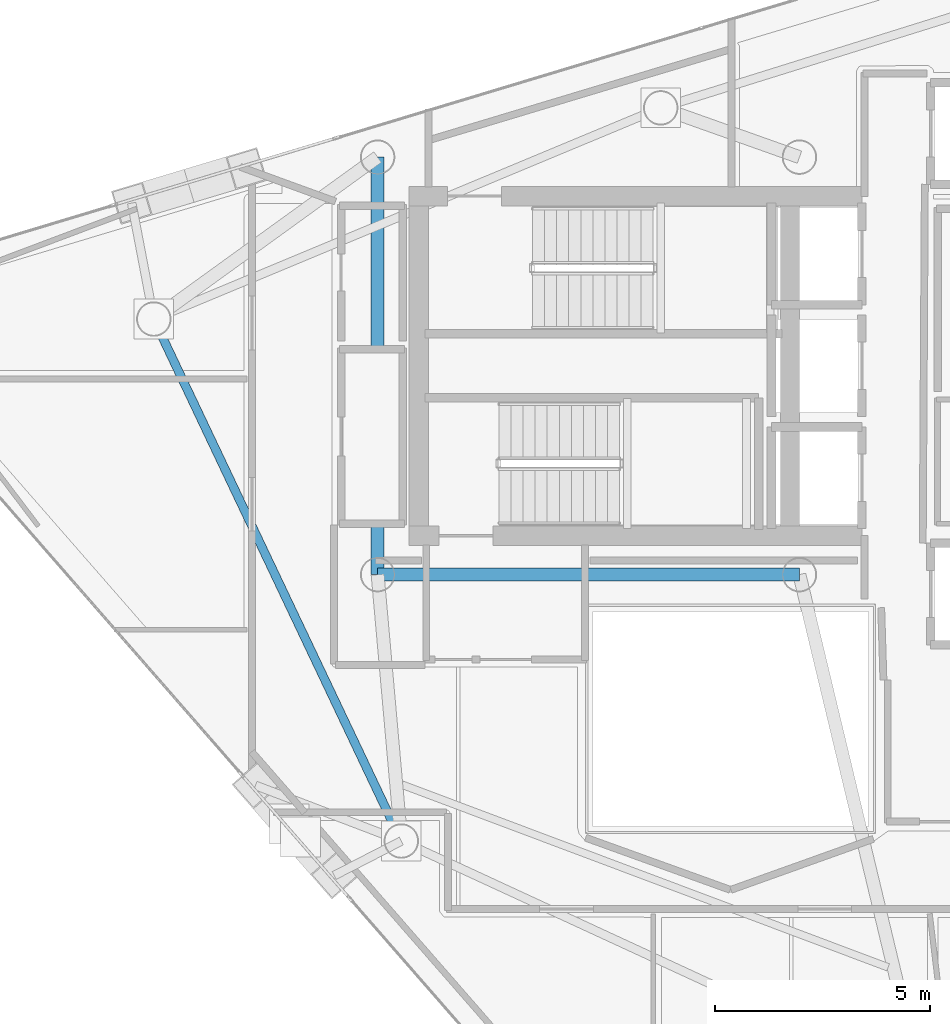
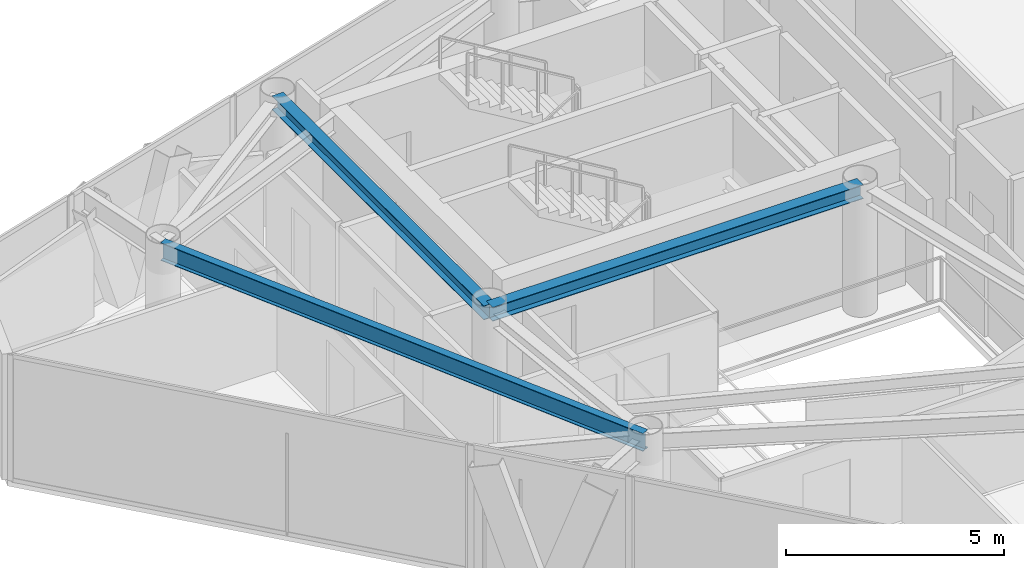
# One storey, part 7 of 19: 3 beams.
"""IFC4 building model written with IfcOpenShell, lengths in metres."""

from ifc_helpers import new_model, si_unit, direction, frame, origin, origin_2d, place, context, subcontext, project, spatial, i_section, extrude, material, material_profile, profile_set, type_object, element, save


model = new_model("IFC4")

# Units and contexts
model_context = context("Model", 3, precision=1e-05, world=origin(), true_north=direction((0.0, 1.0)))
body_context = subcontext(model_context, "Body", "Model", "MODEL_VIEW")
ifc_project = project(units=[si_unit("LENGTHUNIT", "METRE"), si_unit("AREAUNIT", "SQUARE_METRE"), si_unit("VOLUMEUNIT", "CUBIC_METRE"), si_unit("PLANEANGLEUNIT", "RADIAN"), si_unit("MASSUNIT", "GRAM", prefix="KILO")], contexts=[model_context])

# Site, building, storey
site_placement = place(None, origin())
site = spatial("IfcSite", under=ifc_project, at=site_placement, CompositionType="ELEMENT")
building_placement = place(site_placement, origin())
building = spatial("IfcBuilding", under=site, at=building_placement, Name="Qianvela Tower", CompositionType="ELEMENT")
storey_placement = place(building_placement, frame((0.0, 0.0, 325.89990234375)))
storey = spatial("IfcBuildingStorey", under=building, at=storey_placement, Name="L84", CompositionType="ELEMENT", Elevation=325.89990234375)

# Beams
ifc_material_1 = material(Name="Steel Q355B", Category="steel")
ifc_material_profile_1 = material_profile(ifc_material_1, i_section(OverallWidth=0.300048828125, OverallDepth=0.389892578125, WebThickness=0.010009765625, FlangeThickness=0.01611328125, at=origin_2d()), Name="HM390x300x10x16")
ifc_profile_set_1 = profile_set([ifc_material_profile_1], Name="Steel Q355B")
beam_type_1 = type_object("IfcBeamType", Name="BM-HM390-COLL", PredefinedType="BEAM", material=ifc_profile_set_1)
beam_1_placement = place(storey_placement, frame((28.60009765625, 23.85009765625, 3.322998046875), z_axis=(1.0, 0.0, 0.0), x_axis=(0.0, 1.0, 0.0)))
element("IfcBeam", 1, at=beam_1_placement, inside=storey, type_object=beam_type_1, Name="L84 Core Ring Collector Girder CC1", PredefinedType="BEAM", context=body_context, shape_type="SweptSolid", body=[
    extrude(i_section(OverallWidth=0.300048828125, OverallDepth=0.389892578125, WebThickness=0.010009765625, FlangeThickness=0.01611328125, at=origin_2d()), origin(), (0.0, 0.0, 1.0), 9.7998046875),
])
beam_2_placement = place(storey_placement, frame((28.60009765625, 33.550048828125, 3.322998046875), z_axis=(0.0, -1.0, 0.0), x_axis=(1.0, 0.0, 0.0)))
element("IfcBeam", 2, at=beam_2_placement, inside=storey, type_object=beam_type_1, Name="L84 Core Ring Collector Girder CC2", PredefinedType="BEAM", context=body_context, shape_type="SweptSolid", body=[
    extrude(i_section(OverallWidth=0.300048828125, OverallDepth=0.389892578125, WebThickness=0.010009765625, FlangeThickness=0.01611328125, at=origin_2d()), origin(), (0.0, 0.0, 1.0), 9.699951171875),
])
ifc_material_2 = material(Name="Steel Q355B", Category="steel")
ifc_material_profile_2 = material_profile(ifc_material_2, i_section(OverallWidth=0.199951171875, OverallDepth=0.5, WebThickness=0.010009765625, FlangeThickness=0.01611328125, at=origin_2d()), Name="HN500x200x10x16")
ifc_profile_set_2 = profile_set([ifc_material_profile_2], Name="Steel Q355B")
beam_type_2 = type_object("IfcBeamType", Name="BM-HN500-GIRD", PredefinedType="BEAM", material=ifc_profile_set_2)
beam_3_placement = place(storey_placement, frame((23.39990234375, 29.7890625, 3.26806640625), z_axis=(0.428430375526, -0.903574796753, 0.0), x_axis=(0.903574796753, 0.428430375526, 0.0)))
element("IfcBeam", 3, at=beam_3_placement, inside=storey, type_object=beam_type_2, Name="L84 Perimeter Ring Spandrel Girder 3", PredefinedType="BEAM", context=body_context, shape_type="SweptSolid", body=[
    extrude(i_section(OverallWidth=0.199951171875, OverallDepth=0.5, WebThickness=0.010009765625, FlangeThickness=0.01611328125, at=origin_2d()), origin(), (0.0, 0.0, 1.0), 13.421142578125),
])

save(model, "model.ifc")
